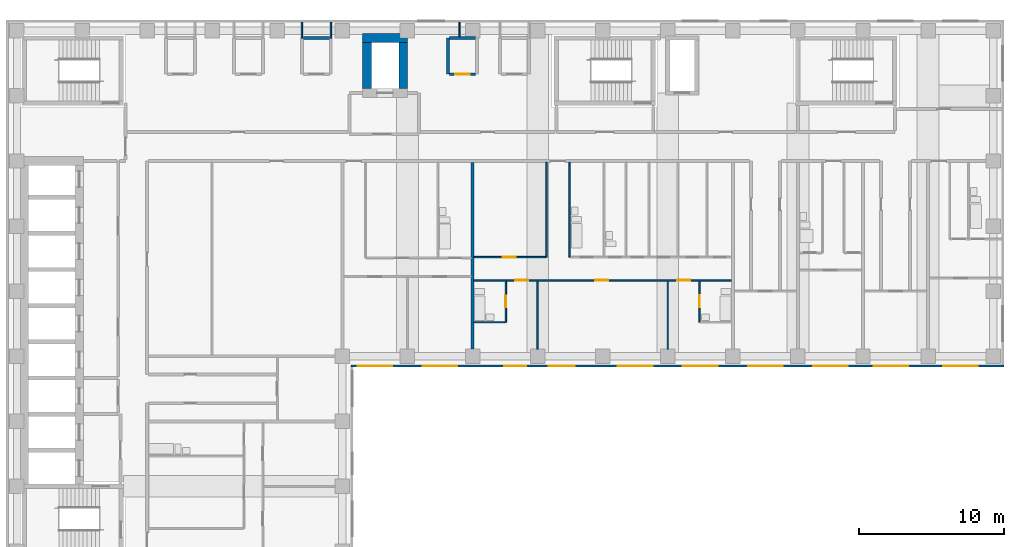
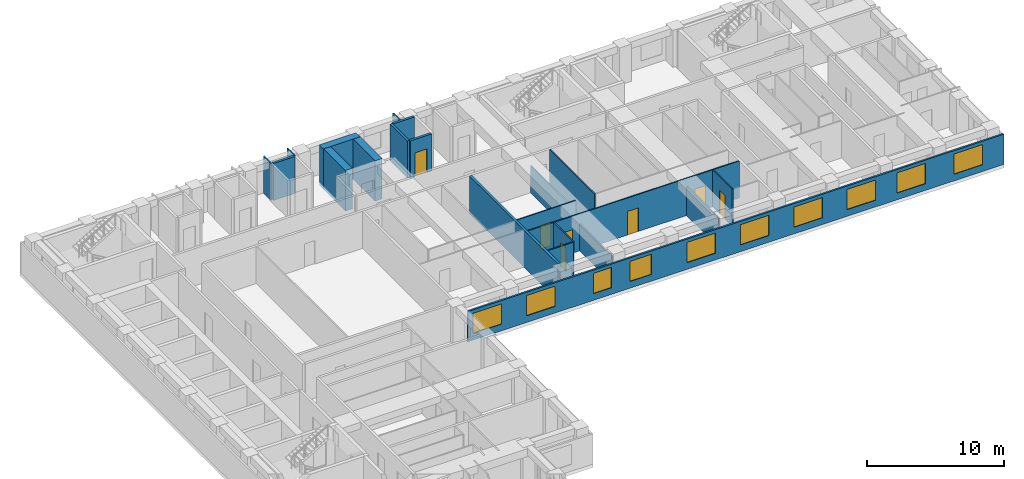
# One storey, part 6 of 12: 21 walls, 10 windows, 7 doors, 17 openings.
"""IFC4 building model written with IfcOpenShell, lengths in metres."""

from ifc_helpers import new_model, si_unit, direction, frame, frame_2d, origin, place, context, subcontext, project, spatial, rectangle, extrude, material, layer, layer_set, type_object, element, fill, save


model = new_model("IFC4")

# Units and contexts
model_context = context("Model", 3, precision=1e-05, world=origin(), true_north=direction((0.0, 1.0)))
body_context = subcontext(model_context, "Body", "Model", "MODEL_VIEW")
ifc_project = project(units=[si_unit("LENGTHUNIT", "METRE"), si_unit("AREAUNIT", "SQUARE_METRE"), si_unit("VOLUMEUNIT", "CUBIC_METRE"), si_unit("PLANEANGLEUNIT", "RADIAN"), si_unit("MASSUNIT", "GRAM", prefix="KILO")], contexts=[model_context])

# Site, building, storey
site_placement = place(None, origin())
site = spatial("IfcSite", under=ifc_project, at=site_placement, CompositionType="ELEMENT")
building_placement = place(site_placement, origin())
building = spatial("IfcBuilding", under=site, at=building_placement, Name="Firuza Court", CompositionType="ELEMENT")
storey_placement = place(building_placement, frame((0.0, 0.0, 123.199951171875)))
storey = spatial("IfcBuildingStorey", under=building, at=storey_placement, Name="L30", CompositionType="ELEMENT", Elevation=123.199951171875)

# Wall
ifc_material_1 = material(Name="Moisture-resistant gypsum board partition")
ifc_layer_1 = layer(ifc_material_1, 0.10009765625)
ifc_layer_set_1 = layer_set([ifc_layer_1], Name="Moisture-resistant gypsum board partition")
wall_type_1 = type_object("IfcWallType", Name="Bathroom partition 100", PredefinedType="PLUMBINGWALL", material=ifc_layer_set_1)
wall_1_placement = place(storey_placement, frame((31.60009765625, 38.35009765625, 0.0), z_axis=(0.0, 0.0, 1.0), x_axis=(1.0, 0.0, 0.0)))
element("IfcWall", 1, at=wall_1_placement, inside=storey, type_object=wall_type_1, Name="Bathroom partition 100 L30", PredefinedType="PLUMBINGWALL", context=body_context, shape_type="SweptSolid", body=[
    extrude(rectangle(XDim=2.14990234375, YDim=0.10009765625, at=frame_2d((1.074951171875, 0.0))), origin(), (0.0, 0.0, 1.0), 3.300048828125),
])

# Wall, opening, door
wall_2_placement = place(storey_placement, frame((33.800048828125, 38.35009765625, 0.0), z_axis=(0.0, 0.0, 1.0), x_axis=(0.0, 1.0, 0.0)))
wall_2 = element("IfcWall", 2, at=wall_2_placement, inside=storey, type_object=wall_type_1, Name="Bathroom partition 100 L30", PredefinedType="PLUMBINGWALL", context=body_context, shape_type="SweptSolid", body=[
    extrude(rectangle(XDim=2.849853515625, YDim=0.10009765625, at=frame_2d((1.4248046875, 0.0))), origin(), (0.0, 0.0, 1.0), 3.300048828125),
])
opening_1_placement = place(wall_2_placement, frame((1.050048828125, 0.0, 0.0)))
opening_1 = element("IfcOpeningElement", 3, at=opening_1_placement, cuts=wall_2, Name="Opening D30038", PredefinedType="OPENING", context=body_context, shape_type="SweptSolid", body=[
    extrude(rectangle(XDim=0.800048828125, YDim=2.10009765625, at=frame_2d((0.39990234375, 1.050048828125))), frame((0.0, 0.06201171875, 0.0), z_axis=(0.0, -1.0, 0.0), x_axis=(1.0, 0.0, 0.0)), (0.0, 0.0, 1.0), 0.1240234375),
])
ifc_material_2 = material(Name="Timber door leaf in hardwood frame", Category="wood")
door_type_1 = type_object("IfcDoorType", Name="Bathroom door 800", OperationType="SINGLE_SWING_LEFT", PredefinedType="DOOR", material=ifc_material_2)
door_1_placement = place(opening_1_placement, origin())
door_1 = element("IfcDoor", 4, at=door_1_placement, inside=storey, type_object=door_type_1, Name="En-suite door", OperationType="SINGLE_SWING_LEFT", OverallHeight=2.10009765625, OverallWidth=0.800048828125, PredefinedType="DOOR", context=body_context, shape_type="SweptSolid", body=[
    extrude(rectangle(XDim=0.800048828125, YDim=2.10009765625, at=frame_2d((0.39990234375, 1.050048828125))), frame((0.0, 0.02490234375, 0.0), z_axis=(0.0, -1.0, 0.0), x_axis=(1.0, 0.0, 0.0)), (0.0, 0.0, 1.0), 0.050048828125),
])
fill(opening_1, door_1)

wall_3_placement = place(storey_placement, frame((47.199951171875, 38.35009765625, 0.0), z_axis=(0.0, 0.0, 1.0), x_axis=(0.0, 1.0, 0.0)))
wall_3 = element("IfcWall", 5, at=wall_3_placement, inside=storey, type_object=wall_type_1, Name="Bathroom partition 100 L30", PredefinedType="PLUMBINGWALL", context=body_context, shape_type="SweptSolid", body=[
    extrude(rectangle(XDim=2.849853515625, YDim=0.10009765625, at=frame_2d((1.4248046875, 0.0))), origin(), (0.0, 0.0, 1.0), 3.300048828125),
])
opening_2_placement = place(wall_3_placement, frame((1.050048828125, 0.0, 0.0)))
opening_2 = element("IfcOpeningElement", 6, at=opening_2_placement, cuts=wall_3, Name="Opening D30039", PredefinedType="OPENING", context=body_context, shape_type="SweptSolid", body=[
    extrude(rectangle(XDim=0.800048828125, YDim=2.10009765625, at=frame_2d((0.39990234375, 1.050048828125))), frame((0.0, 0.06201171875, 0.0), z_axis=(0.0, -1.0, 0.0), x_axis=(1.0, 0.0, 0.0)), (0.0, 0.0, 1.0), 0.1240234375),
])
door_2_placement = place(opening_2_placement, frame((0.800048828125, 0.0, 0.0), z_axis=(0.0, 0.0, 1.0), x_axis=(-1.0, 0.0, 0.0)))
door_2 = element("IfcDoor", 7, at=door_2_placement, inside=storey, type_object=door_type_1, Name="En-suite door", OperationType="SINGLE_SWING_RIGHT", OverallHeight=2.10009765625, OverallWidth=0.800048828125, PredefinedType="DOOR", context=body_context, shape_type="SweptSolid", body=[
    extrude(rectangle(XDim=0.800048828125, YDim=2.10009765625, at=frame_2d((0.39990234375, 1.050048828125))), frame((0.0, 0.02490234375, 0.0), z_axis=(0.0, -1.0, 0.0), x_axis=(1.0, 0.0, 0.0)), (0.0, 0.0, 1.0), 0.050048828125),
])
fill(opening_2, door_2)

# Walls
wall_4_placement = place(storey_placement, frame((38.199951171875, 42.85009765625, 0.0), z_axis=(0.0, 0.0, 1.0), x_axis=(0.0, 1.0, 0.0)))
element("IfcWall", 8, at=wall_4_placement, inside=storey, type_object=wall_type_1, Name="Bathroom partition 100 L30", PredefinedType="PLUMBINGWALL", context=body_context, shape_type="SweptSolid", body=[
    extrude(rectangle(XDim=6.5498046875, YDim=0.10009765625, at=frame_2d((3.27490234375, 0.0))), origin(), (0.0, 0.0, 1.0), 3.300048828125),
])
ifc_material_3 = material(Name="Concrete C60/75", Category="concrete")
ifc_layer_2 = layer(ifc_material_3, 0.60009765625)
ifc_layer_set_2 = layer_set([ifc_layer_2], Name="Concrete C60/75")
wall_type_2 = type_object("IfcWallType", Name="Core wall 600 C60/75", PredefinedType="SHEAR", material=ifc_layer_set_2)
wall_5_placement = place(storey_placement, frame((23.89990234375, 58.0, -0.300048828125), z_axis=(0.0, 0.0, 1.0), x_axis=(1.0, 0.0, 0.0)))
element("IfcWall", 9, at=wall_5_placement, inside=storey, type_object=wall_type_2, Name="Core wall lift shaft L30", PredefinedType="SHEAR", context=body_context, shape_type="SweptSolid", body=[
    extrude(rectangle(XDim=3.10009765625, YDim=0.60009765625, at=frame_2d((1.550048828125, 0.0))), origin(), (0.0, 0.0, 1.0), 3.60009765625),
])
for number, where, z_axis, x_axis, name in (
    (10, (24.199951171875, 54.5, -0.300048828125), (0.0, 0.0, 1.0), (0.0, 1.0, 0.0), "Core wall lift shaft L30"),
    (11, (26.699951171875, 54.5, -0.300048828125), (0.0, 0.0, 1.0), (0.0, 1.0, 0.0), "Core wall lift shaft L30"),
):
    element("IfcWall", number, at=place(storey_placement, frame(where, z_axis=z_axis, x_axis=x_axis)), inside=storey, type_object=wall_type_2, Name=name, PredefinedType="SHEAR", context=body_context, shape_type="SweptSolid", body=[
        extrude(rectangle(XDim=3.199951171875, YDim=0.60009765625, at=frame_2d((1.60009765625, 0.0))), origin(), (0.0, 0.0, 1.0), 3.60009765625),
    ])
ifc_material_4 = material(Name="Timber stud partition, plasterboard both sides", Category="wood")
ifc_layer_3 = layer(ifc_material_4, 0.10009765625)
ifc_layer_set_3 = layer_set([ifc_layer_3], Name="Timber stud partition, plasterboard both sides")
wall_type_3 = type_object("IfcWallType", Name="Partition wall 100", PredefinedType="PARTITIONING", material=ifc_layer_set_3)
wall_6_placement = place(storey_placement, frame((36.0, 36.5, 0.0), z_axis=(0.0, 0.0, 1.0), x_axis=(0.0, 1.0, 0.0)))
element("IfcWall", 12, at=wall_6_placement, inside=storey, type_object=wall_type_3, Name="Partition wall 100 L30", PredefinedType="PARTITIONING", context=body_context, shape_type="SweptSolid", body=[
    extrude(rectangle(XDim=4.699951171875, YDim=0.10009765625, at=frame_2d((2.35009765625, 0.0))), origin(), (0.0, 0.0, 1.0), 2.400146484375),
])
wall_7_placement = place(storey_placement, frame((45.0, 36.5, 0.0), z_axis=(0.0, 0.0, 1.0), x_axis=(0.0, 1.0, 0.0)))
element("IfcWall", 13, at=wall_7_placement, inside=storey, type_object=wall_type_3, Name="Partition wall 100 L30", PredefinedType="PARTITIONING", context=body_context, shape_type="SweptSolid", body=[
    extrude(rectangle(XDim=4.699951171875, YDim=0.10009765625, at=frame_2d((2.35009765625, 0.0))), origin(), (0.0, 0.0, 1.0), 2.60009765625),
])

# Wall, openings, doors
wall_8_placement = place(storey_placement, frame((31.60009765625, 41.25, 0.0), z_axis=(0.0, 0.0, 1.0), x_axis=(1.0, 0.0, 0.0)))
wall_8 = element("IfcWall", 14, at=wall_8_placement, inside=storey, type_object=wall_type_3, Name="Partition wall 100 L30", PredefinedType="PARTITIONING", context=body_context, shape_type="SweptSolid", body=[
    extrude(rectangle(XDim=17.7998046875, YDim=0.10009765625, at=frame_2d((8.89990234375, 0.0))), origin(), (0.0, 0.0, 1.0), 3.300048828125),
])
opening_3_placement = place(wall_8_placement, frame((2.85009765625, 0.0, 0.0)))
opening_3 = element("IfcOpeningElement", 15, at=opening_3_placement, cuts=wall_8, Name="Opening D30046", PredefinedType="OPENING", context=body_context, shape_type="SweptSolid", body=[
    extrude(rectangle(XDim=0.89990234375, YDim=2.10009765625, at=frame_2d((0.449951171875, 1.050048828125))), frame((0.0, 0.06201171875, 0.0), z_axis=(0.0, -1.0, 0.0), x_axis=(1.0, 0.0, 0.0)), (0.0, 0.0, 1.0), 0.1240234375),
])
opening_4_placement = place(wall_8_placement, frame((8.39990234375, 0.0, 0.0)))
opening_4 = element("IfcOpeningElement", 16, at=opening_4_placement, cuts=wall_8, Name="Opening D30047", PredefinedType="OPENING", context=body_context, shape_type="SweptSolid", body=[
    extrude(rectangle(XDim=0.89990234375, YDim=2.10009765625, at=frame_2d((0.449951171875, 1.050048828125))), frame((0.0, 0.06201171875, 0.0), z_axis=(0.0, -1.0, 0.0), x_axis=(1.0, 0.0, 0.0)), (0.0, 0.0, 1.0), 0.1240234375),
])
opening_5_placement = place(wall_8_placement, frame((14.050048828125, 0.0, 0.0)))
opening_5 = element("IfcOpeningElement", 17, at=opening_5_placement, cuts=wall_8, Name="Opening D30048", PredefinedType="OPENING", context=body_context, shape_type="SweptSolid", body=[
    extrude(rectangle(XDim=0.89990234375, YDim=2.10009765625, at=frame_2d((0.449951171875, 1.050048828125))), frame((0.0, 0.06201171875, 0.0), z_axis=(0.0, -1.0, 0.0), x_axis=(1.0, 0.0, 0.0)), (0.0, 0.0, 1.0), 0.1240234375),
])
ifc_material_5 = material(Name="Timber door leaf in hardwood frame", Category="wood")
door_type_2 = type_object("IfcDoorType", Name="Room door 900", OperationType="SINGLE_SWING_LEFT", PredefinedType="DOOR", material=ifc_material_5)
door_3_placement = place(opening_3_placement, frame((0.89990234375, 0.0, 0.0), z_axis=(0.0, 0.0, 1.0), x_axis=(-1.0, 0.0, 0.0)))
door_3 = element("IfcDoor", 18, at=door_3_placement, inside=storey, type_object=door_type_2, Name="Bedroom door", OperationType="SINGLE_SWING_LEFT", OverallHeight=2.10009765625, OverallWidth=0.89990234375, PredefinedType="DOOR", context=body_context, shape_type="SweptSolid", body=[
    extrude(rectangle(XDim=0.89990234375, YDim=2.10009765625, at=frame_2d((0.449951171875, 1.050048828125))), frame((0.0, 0.02490234375, 0.0), z_axis=(0.0, -1.0, 0.0), x_axis=(1.0, 0.0, 0.0)), (0.0, 0.0, 1.0), 0.050048828125),
])
fill(opening_3, door_3)
door_4_placement = place(opening_4_placement, frame((0.89990234375, 0.0, 0.0), z_axis=(0.0, 0.0, 1.0), x_axis=(-1.0, 0.0, 0.0)))
door_4 = element("IfcDoor", 19, at=door_4_placement, inside=storey, type_object=door_type_2, Name="Living room door", OperationType="SINGLE_SWING_RIGHT", OverallHeight=2.10009765625, OverallWidth=0.89990234375, PredefinedType="DOOR", context=body_context, shape_type="SweptSolid", body=[
    extrude(rectangle(XDim=0.89990234375, YDim=2.10009765625, at=frame_2d((0.449951171875, 1.050048828125))), frame((0.0, 0.02490234375, 0.0), z_axis=(0.0, -1.0, 0.0), x_axis=(1.0, 0.0, 0.0)), (0.0, 0.0, 1.0), 0.050048828125),
])
fill(opening_4, door_4)
door_5_placement = place(opening_5_placement, frame((0.89990234375, 0.0, 0.0), z_axis=(0.0, 0.0, 1.0), x_axis=(-1.0, 0.0, 0.0)))
door_5 = element("IfcDoor", 20, at=door_5_placement, inside=storey, type_object=door_type_2, Name="Bedroom door", OperationType="SINGLE_SWING_RIGHT", OverallHeight=2.10009765625, OverallWidth=0.89990234375, PredefinedType="DOOR", context=body_context, shape_type="SweptSolid", body=[
    extrude(rectangle(XDim=0.89990234375, YDim=2.10009765625, at=frame_2d((0.449951171875, 1.050048828125))), frame((0.0, 0.02490234375, 0.0), z_axis=(0.0, -1.0, 0.0), x_axis=(1.0, 0.0, 0.0)), (0.0, 0.0, 1.0), 0.050048828125),
])
fill(opening_5, door_5)

# Wall, opening, door
wall_9_placement = place(storey_placement, frame((31.60009765625, 42.85009765625, 0.0), z_axis=(0.0, 0.0, 1.0), x_axis=(1.0, 0.0, 0.0)))
wall_9 = element("IfcWall", 21, at=wall_9_placement, inside=storey, type_object=wall_type_3, Name="Partition wall 100 L30", PredefinedType="PARTITIONING", context=body_context, shape_type="SweptSolid", body=[
    extrude(rectangle(XDim=4.949951171875, YDim=0.10009765625, at=frame_2d((2.47509765625, 0.0))), origin(), (0.0, 0.0, 1.0), 3.300048828125),
])
opening_6_placement = place(wall_9_placement, frame((2.0, 0.0, 0.0)))
opening_6 = element("IfcOpeningElement", 22, at=opening_6_placement, cuts=wall_9, Name="Opening D30055", PredefinedType="OPENING", context=body_context, shape_type="SweptSolid", body=[
    extrude(rectangle(XDim=0.89990234375, YDim=2.10009765625, at=frame_2d((0.449951171875, 1.050048828125))), frame((0.0, 0.06201171875, 0.0), z_axis=(0.0, -1.0, 0.0), x_axis=(1.0, 0.0, 0.0)), (0.0, 0.0, 1.0), 0.1240234375),
])
door_6_placement = place(opening_6_placement, origin())
door_6 = element("IfcDoor", 23, at=door_6_placement, inside=storey, type_object=door_type_2, Name="Kitchen door", OperationType="SINGLE_SWING_LEFT", OverallHeight=2.10009765625, OverallWidth=0.89990234375, PredefinedType="DOOR", context=body_context, shape_type="SweptSolid", body=[
    extrude(rectangle(XDim=0.89990234375, YDim=2.10009765625, at=frame_2d((0.449951171875, 1.050048828125))), frame((0.0, 0.02490234375, 0.0), z_axis=(0.0, -1.0, 0.0), x_axis=(1.0, 0.0, 0.0)), (0.0, 0.0, 1.0), 0.050048828125),
])
fill(opening_6, door_6)

# Walls
wall_10_placement = place(storey_placement, frame((36.60009765625, 42.85009765625, 0.0), z_axis=(0.0, 0.0, 1.0), x_axis=(0.0, 1.0, 0.0)))
element("IfcWall", 24, at=wall_10_placement, inside=storey, type_object=wall_type_3, Name="Partition wall 100 L30", PredefinedType="PARTITIONING", context=body_context, shape_type="SweptSolid", body=[
    extrude(rectangle(XDim=6.5498046875, YDim=0.10009765625, at=frame_2d((3.27490234375, 0.0))), origin(), (0.0, 0.0, 1.0), 2.400146484375),
])
for number, where, z_axis, x_axis, name in (
    (25, (19.699951171875, 58.0, 0.0), (0.0, 0.0, 1.0), (0.0, 1.0, 0.0), "Partition wall 100 L30"),
    (26, (21.699951171875, 58.0, 0.0), (0.0, 0.0, 1.0), (0.0, 1.0, 0.0), "Partition wall 100 L30"),
):
    element("IfcWall", number, at=place(storey_placement, frame(where, z_axis=z_axis, x_axis=x_axis)), inside=storey, type_object=wall_type_3, Name=name, PredefinedType="PARTITIONING", context=body_context, shape_type="SweptSolid", body=[
        extrude(rectangle(XDim=1.10009765625, YDim=0.10009765625, at=frame_2d((0.550048828125, 0.0))), origin(), (0.0, 0.0, 1.0), 3.300048828125),
    ])
wall_11_placement = place(storey_placement, frame((30.60009765625, 58.10009765625, 0.0), z_axis=(0.0, 0.0, 1.0), x_axis=(0.0, 1.0, 0.0)))
element("IfcWall", 27, at=wall_11_placement, inside=storey, type_object=wall_type_3, Name="Partition wall 100 L30", PredefinedType="PARTITIONING", context=body_context, shape_type="SweptSolid", body=[
    extrude(rectangle(XDim=1.0, YDim=0.10009765625, at=frame_2d((0.5, 0.0))), origin(), (0.0, 0.0, 1.0), 3.300048828125),
])
ifc_material_6 = material(Name="Blockwork, plastered both sides", Category="masonry")
ifc_layer_4 = layer(ifc_material_6, 0.199951171875)
ifc_layer_set_4 = layer_set([ifc_layer_4], Name="Blockwork, plastered both sides")
wall_type_4 = type_object("IfcWallType", Name="Party wall 200", PredefinedType="PARTITIONING", material=ifc_layer_set_4)
wall_12_placement = place(storey_placement, frame((31.5, 36.5, 0.0), z_axis=(0.0, 0.0, 1.0), x_axis=(0.0, 1.0, 0.0)))
element("IfcWall", 28, at=wall_12_placement, inside=storey, type_object=wall_type_4, Name="Party wall 200 L30", PredefinedType="PARTITIONING", context=body_context, shape_type="SweptSolid", body=[
    extrude(rectangle(XDim=12.89990234375, YDim=0.199951171875, at=frame_2d((6.449951171875, 0.0))), origin(), (0.0, 0.0, 1.0), 3.300048828125),
])
ifc_material_7 = material(Name="Blockwork, fire-rated", Category="masonry")
ifc_layer_5 = layer(ifc_material_7, 0.199951171875)
ifc_layer_set_5 = layer_set([ifc_layer_5], Name="Blockwork, fire-rated")
wall_type_5 = type_object("IfcWallType", Name="Plant room wall 200", PredefinedType="PARTITIONING", material=ifc_layer_set_5)
wall_13_placement = place(storey_placement, frame((29.800048828125, 55.5, 0.0), z_axis=(0.0, 0.0, 1.0), x_axis=(0.0, 1.0, 0.0)))
element("IfcWall", 29, at=wall_13_placement, inside=storey, type_object=wall_type_5, Name="Plant room wall 200 L30", PredefinedType="PARTITIONING", context=body_context, shape_type="SweptSolid", body=[
    extrude(rectangle(XDim=2.5, YDim=0.199951171875, at=frame_2d((1.25, 0.0))), origin(), (0.0, 0.0, 1.0), 3.300048828125),
])

# Wall, opening, door
wall_14_placement = place(storey_placement, frame((29.89990234375, 55.5, 0.0), z_axis=(0.0, 0.0, 1.0), x_axis=(1.0, 0.0, 0.0)))
wall_14 = element("IfcWall", 30, at=wall_14_placement, inside=storey, type_object=wall_type_5, Name="Plant room wall 200 L30", PredefinedType="PARTITIONING", context=body_context, shape_type="SweptSolid", body=[
    extrude(rectangle(XDim=1.800048828125, YDim=0.199951171875, at=frame_2d((0.89990234375, 0.0))), origin(), (0.0, 0.0, 1.0), 3.300048828125),
])
opening_7_placement = place(wall_14_placement, frame((0.39990234375, 0.0, 0.0)))
opening_7 = element("IfcOpeningElement", 31, at=opening_7_placement, cuts=wall_14, Name="Opening D30078", PredefinedType="OPENING", context=body_context, shape_type="SweptSolid", body=[
    extrude(rectangle(XDim=1.0, YDim=2.10009765625, at=frame_2d((0.5, 1.050048828125))), frame((0.0, 0.11181640625, 0.0), z_axis=(0.0, -1.0, 0.0), x_axis=(1.0, 0.0, 0.0)), (0.0, 0.0, 1.0), 0.223876953125),
])
ifc_material_8 = material(Name="Timber door leaf in hardwood frame", Category="wood")
door_type_3 = type_object("IfcDoorType", Name="Riser door 1000", OperationType="SINGLE_SWING_LEFT", PredefinedType="DOOR", material=ifc_material_8)
door_7_placement = place(opening_7_placement, origin())
door_7 = element("IfcDoor", 32, at=door_7_placement, inside=storey, type_object=door_type_3, Name="Electrical riser door", OperationType="SINGLE_SWING_LEFT", OverallHeight=2.10009765625, OverallWidth=1.0, PredefinedType="DOOR", context=body_context, shape_type="SweptSolid", body=[
    extrude(rectangle(XDim=1.0, YDim=2.10009765625, at=frame_2d((0.5, 1.050048828125))), frame((0.0, 0.02490234375, 0.0), z_axis=(0.0, -1.0, 0.0), x_axis=(1.0, 0.0, 0.0)), (0.0, 0.0, 1.0), 0.050048828125),
])
fill(opening_7, door_7)

# Walls
for number, where, z_axis, x_axis, name in (
    (33, (19.800048828125, 58.0, 0.0), (0.0, 0.0, 1.0), (1.0, 0.0, 0.0), "Plant room wall 200 L30"),
    (34, (29.89990234375, 58.0, 0.0), (0.0, 0.0, 1.0), (1.0, 0.0, 0.0), "Plant room wall 200 L30"),
):
    element("IfcWall", number, at=place(storey_placement, frame(where, z_axis=z_axis, x_axis=x_axis)), inside=storey, type_object=wall_type_5, Name=name, PredefinedType="PARTITIONING", context=body_context, shape_type="SweptSolid", body=[
        extrude(rectangle(XDim=1.800048828125, YDim=0.199951171875, at=frame_2d((0.89990234375, 0.0))), origin(), (0.0, 0.0, 1.0), 3.300048828125),
    ])

# Wall, openings, windows
ifc_material_9 = material(Name="Ceramic tile", Category="ceramic")
ifc_layer_6 = layer(ifc_material_9, 0.02001953125)
ifc_material_10 = material(Name="Mineral wool insulation", Category="insulation")
ifc_layer_7 = layer(ifc_material_10, 0.050048828125)
ifc_material_11 = material(Name="Concrete C40/50 precast", Category="concrete")
ifc_layer_8 = layer(ifc_material_11, 0.080078125)
ifc_layer_set_6 = layer_set([ifc_layer_6, ifc_layer_7, ifc_layer_8], Name="Concrete C40/50 precast")
wall_type_6 = type_object("IfcWallType", Name="Precast cladding wall with turquoise TILE PANEL face 150", PredefinedType="STANDARD", material=ifc_layer_set_6)
wall_15_placement = place(storey_placement, frame((23.10009765625, 35.324951171875, 0.0), z_axis=(0.0, 0.0, 1.0), x_axis=(1.0, 0.0, 0.0)))
wall_15 = element("IfcWall", 35, at=wall_15_placement, inside=storey, type_object=wall_type_6, Name="Facade wall L30 S", PredefinedType="STANDARD", context=body_context, shape_type="SweptSolid", body=[
    extrude(rectangle(XDim=45.14990234375, YDim=0.14990234375, at=frame_2d((22.574951171875, 0.0))), origin(), (0.0, 0.0, 1.0), 2.699951171875),
])
opening_8_placement = place(wall_15_placement, frame((0.449951171875, 0.0, 0.60009765625)))
opening_8 = element("IfcOpeningElement", 36, at=opening_8_placement, cuts=wall_15, Name="Opening W1", PredefinedType="OPENING", context=body_context, shape_type="SweptSolid", body=[
    extrude(rectangle(XDim=2.39990234375, YDim=1.800048828125, at=frame_2d((1.199951171875, 0.89990234375))), frame((0.0, 0.0869140625, 0.0), z_axis=(0.0, -1.0, 0.0), x_axis=(1.0, 0.0, 0.0)), (0.0, 0.0, 1.0), 0.173828125),
])
opening_9_placement = place(wall_15_placement, frame((4.949951171875, 0.0, 0.60009765625)))
opening_9 = element("IfcOpeningElement", 37, at=opening_9_placement, cuts=wall_15, Name="Opening W1", PredefinedType="OPENING", context=body_context, shape_type="SweptSolid", body=[
    extrude(rectangle(XDim=2.39990234375, YDim=1.800048828125, at=frame_2d((1.199951171875, 0.89990234375))), frame((0.0, 0.0869140625, 0.0), z_axis=(0.0, -1.0, 0.0), x_axis=(1.0, 0.0, 0.0)), (0.0, 0.0, 1.0), 0.173828125),
])
opening_10_placement = place(wall_15_placement, frame((10.598388671875, 0.0, 0.60009765625)))
opening_10 = element("IfcOpeningElement", 38, at=opening_10_placement, cuts=wall_15, Name="Opening W2", PredefinedType="OPENING", context=body_context, shape_type="SweptSolid", body=[
    extrude(rectangle(XDim=1.5, YDim=1.800048828125, at=frame_2d((0.75, 0.89990234375))), frame((0.0, 0.0869140625, 0.0), z_axis=(0.0, -1.0, 0.0), x_axis=(1.0, 0.0, 0.0)), (0.0, 0.0, 1.0), 0.173828125),
])
opening_11_placement = place(wall_15_placement, frame((13.65966796875, 0.0, 0.60009765625)))
opening_11 = element("IfcOpeningElement", 39, at=opening_11_placement, cuts=wall_15, Name="Opening W7", PredefinedType="OPENING", context=body_context, shape_type="SweptSolid", body=[
    extrude(rectangle(XDim=1.800048828125, YDim=1.800048828125, at=frame_2d((0.89990234375, 0.89990234375))), frame((0.0, 0.0869140625, 0.0), z_axis=(0.0, -1.0, 0.0), x_axis=(1.0, 0.0, 0.0)), (0.0, 0.0, 1.0), 0.173828125),
])
opening_12_placement = place(wall_15_placement, frame((18.449951171875, 0.0, 0.60009765625)))
opening_12 = element("IfcOpeningElement", 40, at=opening_12_placement, cuts=wall_15, Name="Opening W1", PredefinedType="OPENING", context=body_context, shape_type="SweptSolid", body=[
    extrude(rectangle(XDim=2.39990234375, YDim=1.800048828125, at=frame_2d((1.199951171875, 0.89990234375))), frame((0.0, 0.0869140625, 0.0), z_axis=(0.0, -1.0, 0.0), x_axis=(1.0, 0.0, 0.0)), (0.0, 0.0, 1.0), 0.173828125),
])
opening_13_placement = place(wall_15_placement, frame((22.949951171875, 0.0, 0.60009765625)))
opening_13 = element("IfcOpeningElement", 41, at=opening_13_placement, cuts=wall_15, Name="Opening W1", PredefinedType="OPENING", context=body_context, shape_type="SweptSolid", body=[
    extrude(rectangle(XDim=2.39990234375, YDim=1.800048828125, at=frame_2d((1.199951171875, 0.89990234375))), frame((0.0, 0.0869140625, 0.0), z_axis=(0.0, -1.0, 0.0), x_axis=(1.0, 0.0, 0.0)), (0.0, 0.0, 1.0), 0.173828125),
])
opening_14_placement = place(wall_15_placement, frame((27.449951171875, 0.0, 0.60009765625)))
opening_14 = element("IfcOpeningElement", 42, at=opening_14_placement, cuts=wall_15, Name="Opening W1", PredefinedType="OPENING", context=body_context, shape_type="SweptSolid", body=[
    extrude(rectangle(XDim=2.39990234375, YDim=1.800048828125, at=frame_2d((1.199951171875, 0.89990234375))), frame((0.0, 0.0869140625, 0.0), z_axis=(0.0, -1.0, 0.0), x_axis=(1.0, 0.0, 0.0)), (0.0, 0.0, 1.0), 0.173828125),
])
opening_15_placement = place(wall_15_placement, frame((31.949951171875, 0.0, 0.60009765625)))
opening_15 = element("IfcOpeningElement", 43, at=opening_15_placement, cuts=wall_15, Name="Opening W1", PredefinedType="OPENING", context=body_context, shape_type="SweptSolid", body=[
    extrude(rectangle(XDim=2.39990234375, YDim=1.800048828125, at=frame_2d((1.199951171875, 0.89990234375))), frame((0.0, 0.0869140625, 0.0), z_axis=(0.0, -1.0, 0.0), x_axis=(1.0, 0.0, 0.0)), (0.0, 0.0, 1.0), 0.173828125),
])
opening_16_placement = place(wall_15_placement, frame((36.130615234375, 0.0, 0.60009765625)))
opening_16 = element("IfcOpeningElement", 44, at=opening_16_placement, cuts=wall_15, Name="Opening W1", PredefinedType="OPENING", context=body_context, shape_type="SweptSolid", body=[
    extrude(rectangle(XDim=2.39990234375, YDim=1.800048828125, at=frame_2d((1.199951171875, 0.89990234375))), frame((0.0, 0.0869140625, 0.0), z_axis=(0.0, -1.0, 0.0), x_axis=(1.0, 0.0, 0.0)), (0.0, 0.0, 1.0), 0.173828125),
])
opening_17_placement = place(wall_15_placement, frame((40.949951171875, 0.0, 0.60009765625)))
opening_17 = element("IfcOpeningElement", 45, at=opening_17_placement, cuts=wall_15, Name="Opening W1", PredefinedType="OPENING", context=body_context, shape_type="SweptSolid", body=[
    extrude(rectangle(XDim=2.39990234375, YDim=1.800048828125, at=frame_2d((1.199951171875, 0.89990234375))), frame((0.0, 0.0869140625, 0.0), z_axis=(0.0, -1.0, 0.0), x_axis=(1.0, 0.0, 0.0)), (0.0, 0.0, 1.0), 0.173828125),
])
ifc_material_12 = material(Name="Aluminium frame, triple clear glazing", Category="aluminium")
window_type_1 = type_object("IfcWindowType", Name="Window W1 2400 x 1800", PartitioningType="SINGLE_PANEL", PredefinedType="WINDOW", material=ifc_material_12)
window_1_placement = place(opening_8_placement, origin())
window_1 = element("IfcWindow", 46, at=window_1_placement, inside=storey, type_object=window_type_1, Name="Window L30", OverallHeight=1.800048828125, OverallWidth=2.39990234375, PartitioningType="SINGLE_PANEL", PredefinedType="WINDOW", context=body_context, shape_type="SweptSolid", body=[
    extrude(rectangle(XDim=2.39990234375, YDim=1.800048828125, at=frame_2d((1.199951171875, 0.89990234375))), frame((0.0, 0.030029296875, 0.0), z_axis=(0.0, -1.0, 0.0), x_axis=(1.0, 0.0, 0.0)), (0.0, 0.0, 1.0), 0.06005859375),
])
fill(opening_8, window_1)
window_2_placement = place(opening_9_placement, origin())
window_2 = element("IfcWindow", 47, at=window_2_placement, inside=storey, type_object=window_type_1, Name="Window L30", OverallHeight=1.800048828125, OverallWidth=2.39990234375, PartitioningType="SINGLE_PANEL", PredefinedType="WINDOW", context=body_context, shape_type="SweptSolid", body=[
    extrude(rectangle(XDim=2.39990234375, YDim=1.800048828125, at=frame_2d((1.199951171875, 0.89990234375))), frame((0.0, 0.030029296875, 0.0), z_axis=(0.0, -1.0, 0.0), x_axis=(1.0, 0.0, 0.0)), (0.0, 0.0, 1.0), 0.06005859375),
])
fill(opening_9, window_2)
window_3_placement = place(opening_12_placement, origin())
window_3 = element("IfcWindow", 48, at=window_3_placement, inside=storey, type_object=window_type_1, Name="Window L30", OverallHeight=1.800048828125, OverallWidth=2.39990234375, PartitioningType="SINGLE_PANEL", PredefinedType="WINDOW", context=body_context, shape_type="SweptSolid", body=[
    extrude(rectangle(XDim=2.39990234375, YDim=1.800048828125, at=frame_2d((1.199951171875, 0.89990234375))), frame((0.0, 0.030029296875, 0.0), z_axis=(0.0, -1.0, 0.0), x_axis=(1.0, 0.0, 0.0)), (0.0, 0.0, 1.0), 0.06005859375),
])
fill(opening_12, window_3)
window_4_placement = place(opening_13_placement, origin())
window_4 = element("IfcWindow", 49, at=window_4_placement, inside=storey, type_object=window_type_1, Name="Window L30", OverallHeight=1.800048828125, OverallWidth=2.39990234375, PartitioningType="SINGLE_PANEL", PredefinedType="WINDOW", context=body_context, shape_type="SweptSolid", body=[
    extrude(rectangle(XDim=2.39990234375, YDim=1.800048828125, at=frame_2d((1.199951171875, 0.89990234375))), frame((0.0, 0.030029296875, 0.0), z_axis=(0.0, -1.0, 0.0), x_axis=(1.0, 0.0, 0.0)), (0.0, 0.0, 1.0), 0.06005859375),
])
fill(opening_13, window_4)
window_5_placement = place(opening_14_placement, origin())
window_5 = element("IfcWindow", 50, at=window_5_placement, inside=storey, type_object=window_type_1, Name="Window L30", OverallHeight=1.800048828125, OverallWidth=2.39990234375, PartitioningType="SINGLE_PANEL", PredefinedType="WINDOW", context=body_context, shape_type="SweptSolid", body=[
    extrude(rectangle(XDim=2.39990234375, YDim=1.800048828125, at=frame_2d((1.199951171875, 0.89990234375))), frame((0.0, 0.030029296875, 0.0), z_axis=(0.0, -1.0, 0.0), x_axis=(1.0, 0.0, 0.0)), (0.0, 0.0, 1.0), 0.06005859375),
])
fill(opening_14, window_5)
window_6_placement = place(opening_15_placement, origin())
window_6 = element("IfcWindow", 51, at=window_6_placement, inside=storey, type_object=window_type_1, Name="Window L30", OverallHeight=1.800048828125, OverallWidth=2.39990234375, PartitioningType="SINGLE_PANEL", PredefinedType="WINDOW", context=body_context, shape_type="SweptSolid", body=[
    extrude(rectangle(XDim=2.39990234375, YDim=1.800048828125, at=frame_2d((1.199951171875, 0.89990234375))), frame((0.0, 0.030029296875, 0.0), z_axis=(0.0, -1.0, 0.0), x_axis=(1.0, 0.0, 0.0)), (0.0, 0.0, 1.0), 0.06005859375),
])
fill(opening_15, window_6)
window_7_placement = place(opening_16_placement, origin())
window_7 = element("IfcWindow", 52, at=window_7_placement, inside=storey, type_object=window_type_1, Name="Window L30", OverallHeight=1.800048828125, OverallWidth=2.39990234375, PartitioningType="SINGLE_PANEL", PredefinedType="WINDOW", context=body_context, shape_type="SweptSolid", body=[
    extrude(rectangle(XDim=2.39990234375, YDim=1.800048828125, at=frame_2d((1.199951171875, 0.89990234375))), frame((0.0, 0.030029296875, 0.0), z_axis=(0.0, -1.0, 0.0), x_axis=(1.0, 0.0, 0.0)), (0.0, 0.0, 1.0), 0.06005859375),
])
fill(opening_16, window_7)
window_8_placement = place(opening_17_placement, origin())
window_8 = element("IfcWindow", 53, at=window_8_placement, inside=storey, type_object=window_type_1, Name="Window L30", OverallHeight=1.800048828125, OverallWidth=2.39990234375, PartitioningType="SINGLE_PANEL", PredefinedType="WINDOW", context=body_context, shape_type="SweptSolid", body=[
    extrude(rectangle(XDim=2.39990234375, YDim=1.800048828125, at=frame_2d((1.199951171875, 0.89990234375))), frame((0.0, 0.030029296875, 0.0), z_axis=(0.0, -1.0, 0.0), x_axis=(1.0, 0.0, 0.0)), (0.0, 0.0, 1.0), 0.06005859375),
])
fill(opening_17, window_8)
ifc_material_13 = material(Name="Aluminium frame, triple clear glazing", Category="aluminium")
window_type_2 = type_object("IfcWindowType", Name="Window W2 1500 x 1800", PartitioningType="SINGLE_PANEL", PredefinedType="WINDOW", material=ifc_material_13)
window_9_placement = place(opening_10_placement, origin())
window_9 = element("IfcWindow", 54, at=window_9_placement, inside=storey, type_object=window_type_2, Name="Window L30", OverallHeight=1.800048828125, OverallWidth=1.5, PartitioningType="SINGLE_PANEL", PredefinedType="WINDOW", context=body_context, shape_type="SweptSolid", body=[
    extrude(rectangle(XDim=1.5, YDim=1.800048828125, at=frame_2d((0.75, 0.89990234375))), frame((0.0, 0.030029296875, 0.0), z_axis=(0.0, -1.0, 0.0), x_axis=(1.0, 0.0, 0.0)), (0.0, 0.0, 1.0), 0.06005859375),
])
fill(opening_10, window_9)
ifc_material_14 = material(Name="Aluminium frame, triple clear glazing", Category="aluminium")
window_type_3 = type_object("IfcWindowType", Name="Window W7 1800 x 1800", PartitioningType="SINGLE_PANEL", PredefinedType="WINDOW", material=ifc_material_14)
window_10_placement = place(opening_11_placement, origin())
window_10 = element("IfcWindow", 55, at=window_10_placement, inside=storey, type_object=window_type_3, Name="Window L30", OverallHeight=1.800048828125, OverallWidth=1.800048828125, PartitioningType="SINGLE_PANEL", PredefinedType="WINDOW", context=body_context, shape_type="SweptSolid", body=[
    extrude(rectangle(XDim=1.800048828125, YDim=1.800048828125, at=frame_2d((0.89990234375, 0.89990234375))), frame((0.0, 0.030029296875, 0.0), z_axis=(0.0, -1.0, 0.0), x_axis=(1.0, 0.0, 0.0)), (0.0, 0.0, 1.0), 0.06005859375),
])
fill(opening_11, window_10)

save(model, "model.ifc")
